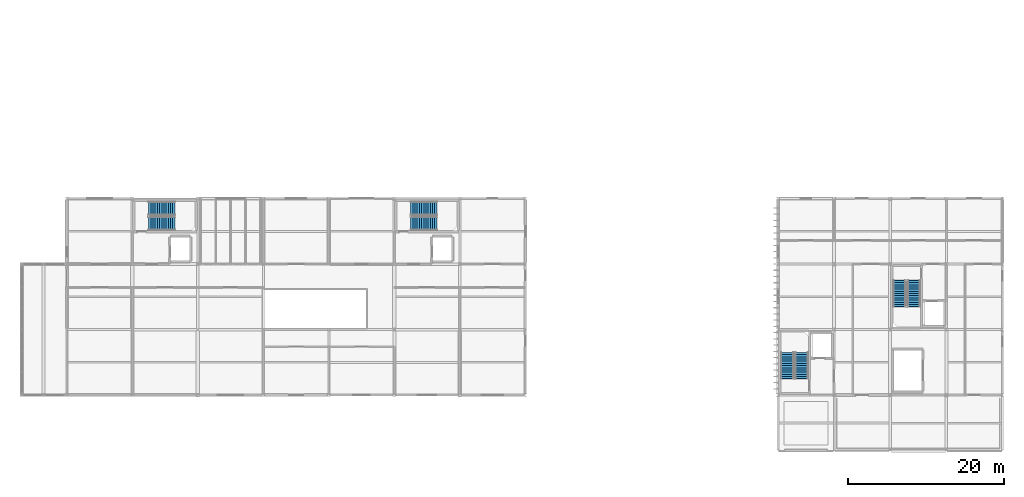
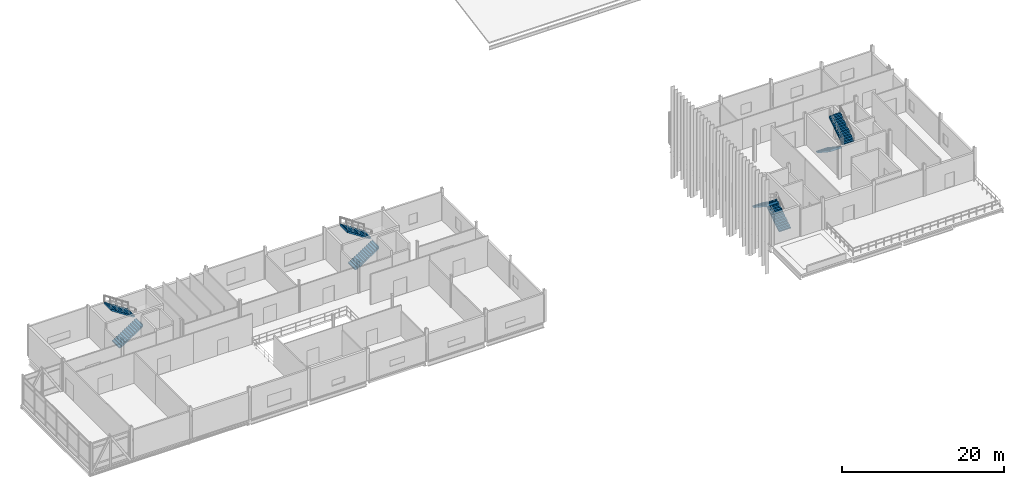
# One storey, part 35 of 45: 8 stair flights, 4 elements without a shape of their own.
"""IFC4 building model written with IfcOpenShell, lengths in metres."""

from ifc_helpers import new_model, si_unit, direction, frame, origin, place, context, subcontext, project, spatial, polyline, outline, extrude, material, type_object, element, aggregate, save


model = new_model("IFC4")

# Units and contexts
model_context = context("Model", 3, precision=1e-05, world=origin(), true_north=direction((0.0, 1.0)))
body_context = subcontext(model_context, "Body", "Model", "MODEL_VIEW")
ifc_project = project(units=[si_unit("LENGTHUNIT", "METRE"), si_unit("AREAUNIT", "SQUARE_METRE"), si_unit("VOLUMEUNIT", "CUBIC_METRE"), si_unit("PLANEANGLEUNIT", "RADIAN"), si_unit("MASSUNIT", "GRAM", prefix="KILO")], contexts=[model_context])

# Site, building, storey
site_placement = place(None, origin())
site = spatial("IfcSite", under=ifc_project, at=site_placement, CompositionType="ELEMENT")
building_placement = place(site_placement, origin())
building = spatial("IfcBuilding", under=site, at=building_placement, Name="Calvrana Isthmian Art Gallery", CompositionType="ELEMENT")
storey_placement = place(building_placement, frame((0.0, 0.0, 19.800048828125)))
storey = spatial("IfcBuildingStorey", under=building, at=storey_placement, Name="L04", CompositionType="ELEMENT", Elevation=19.800048828125)

# Stair, stair flights
ifc_material = material(Name="Concrete C40/50", Category="concrete")
stair_type_1 = type_object("IfcStairType", Name="STR-HT-480", PredefinedType="HALF_TURN_STAIR", material=ifc_material)
stair_1_placement = place(storey_placement, origin())
stair_1 = element("IfcStair", 1, at=stair_1_placement, inside=storey, type_object=stair_type_1, Name="Protected exit stair ST-3 (L04)", PredefinedType="HALF_TURN_STAIR")
stair_flight_type_1 = type_object("IfcStairFlightType", Name="STF-1660", PredefinedType="STRAIGHT", material=ifc_material)
stair_flight_1_placement = place(storey_placement, frame((115.860107421875, 23.699951171875, 0.0), z_axis=(0.0, 0.0, 1.0), x_axis=(0.0, 1.0, 0.0)))
stair_flight_1 = element("IfcStairFlight", 2, at=stair_flight_1_placement, type_object=stair_flight_type_1, Name="ST-3 flight 1", NumberOfRisers=13, NumberOfTreads=12, PredefinedType="STRAIGHT", RiserHeight=0.184615385, TreadLength=0.28, context=body_context, shape_type="SweptSolid", body=[
    extrude(outline(polyline([(-0.02490234375, 0.0), (-0.02490234375, 0.06005859375), (0.0, 0.06005859375), (0.0, 0.1845703125), (0.280029296875, 0.1845703125), (0.280029296875, 0.369140625), (0.56005859375, 0.369140625), (0.56005859375, 0.553955078125), (0.840087890625, 0.553955078125), (0.840087890625, 0.738525390625), (1.1201171875, 0.738525390625), (1.1201171875, 0.923095703125), (1.39990234375, 0.923095703125), (1.39990234375, 1.107666015625), (1.679931640625, 1.107666015625), (1.679931640625, 1.292236328125), (1.9599609375, 1.292236328125), (1.9599609375, 1.476806640625), (2.239990234375, 1.476806640625), (2.239990234375, 1.66162109375), (2.52001953125, 1.66162109375), (2.52001953125, 1.84619140625), (2.800048828125, 1.84619140625), (2.800048828125, 2.03076171875), (3.080078125, 2.03076171875), (3.080078125, 2.21533203125), (3.360107421875, 2.21533203125), (3.360107421875, 2.39990234375), (3.385009765625, 2.39990234375), (3.385009765625, 2.035888671875), (3.360107421875, 2.035888671875), (0.272216796875, 0.0), (-0.02490234375, 0.0)])), frame((0.0, 0.830078125, 0.0), z_axis=(0.0, -1.0, 0.0), x_axis=(1.0, 0.0, 0.0)), (0.0, 0.0, 1.0), 1.659912109375),
])
stair_flight_2_placement = place(storey_placement, frame((114.0, 27.06005859375, 2.39990234375), z_axis=(0.0, 0.0, 1.0), x_axis=(0.0, -1.0, 0.0)))
stair_flight_2 = element("IfcStairFlight", 3, at=stair_flight_2_placement, type_object=stair_flight_type_1, Name="ST-3 flight 2", NumberOfRisers=13, NumberOfTreads=12, PredefinedType="STRAIGHT", RiserHeight=0.184615385, TreadLength=0.28, context=body_context, shape_type="SweptSolid", body=[
    extrude(outline(polyline([(-0.02490234375, 0.0), (-0.02490234375, 0.06005859375), (0.0, 0.06005859375), (0.0, 0.1845703125), (0.280029296875, 0.1845703125), (0.280029296875, 0.369140625), (0.56005859375, 0.369140625), (0.56005859375, 0.553955078125), (0.840087890625, 0.553955078125), (0.840087890625, 0.738525390625), (1.1201171875, 0.738525390625), (1.1201171875, 0.923095703125), (1.39990234375, 0.923095703125), (1.39990234375, 1.107666015625), (1.679931640625, 1.107666015625), (1.679931640625, 1.292236328125), (1.9599609375, 1.292236328125), (1.9599609375, 1.476806640625), (2.239990234375, 1.476806640625), (2.239990234375, 1.66162109375), (2.52001953125, 1.66162109375), (2.52001953125, 1.84619140625), (2.800048828125, 1.84619140625), (2.800048828125, 2.03076171875), (3.080078125, 2.03076171875), (3.080078125, 2.21533203125), (3.360107421875, 2.21533203125), (3.360107421875, 2.39990234375), (3.385009765625, 2.39990234375), (3.385009765625, 2.035888671875), (3.360107421875, 2.035888671875), (0.272216796875, 0.0), (-0.02490234375, 0.0)])), frame((0.0, 0.830078125, 0.0), z_axis=(0.0, -1.0, 0.0), x_axis=(1.0, 0.0, 0.0)), (0.0, 0.0, 1.0), 1.659912109375),
])
aggregate(stair_1, [stair_flight_1, stair_flight_2])

stair_2_placement = place(storey_placement, origin())
stair_2 = element("IfcStair", 4, at=stair_2_placement, inside=storey, type_object=stair_type_1, Name="Protected exit stair ST-4 (L04)", PredefinedType="HALF_TURN_STAIR")
stair_flight_3_placement = place(storey_placement, frame((128.3798828125, 36.300048828125, 0.0), z_axis=(0.0, 0.0, 1.0), x_axis=(0.0, -1.0, 0.0)))
stair_flight_3 = element("IfcStairFlight", 5, at=stair_flight_3_placement, type_object=stair_flight_type_1, Name="ST-4 flight 1", NumberOfRisers=13, NumberOfTreads=12, PredefinedType="STRAIGHT", RiserHeight=0.184615385, TreadLength=0.28, context=body_context, shape_type="SweptSolid", body=[
    extrude(outline(polyline([(-0.02490234375, 0.0), (-0.02490234375, 0.06005859375), (0.0, 0.06005859375), (0.0, 0.1845703125), (0.280029296875, 0.1845703125), (0.280029296875, 0.369140625), (0.56005859375, 0.369140625), (0.56005859375, 0.553955078125), (0.840087890625, 0.553955078125), (0.840087890625, 0.738525390625), (1.1201171875, 0.738525390625), (1.1201171875, 0.923095703125), (1.39990234375, 0.923095703125), (1.39990234375, 1.107666015625), (1.679931640625, 1.107666015625), (1.679931640625, 1.292236328125), (1.9599609375, 1.292236328125), (1.9599609375, 1.476806640625), (2.239990234375, 1.476806640625), (2.239990234375, 1.66162109375), (2.52001953125, 1.66162109375), (2.52001953125, 1.84619140625), (2.800048828125, 1.84619140625), (2.800048828125, 2.03076171875), (3.080078125, 2.03076171875), (3.080078125, 2.21533203125), (3.360107421875, 2.21533203125), (3.360107421875, 2.39990234375), (3.385009765625, 2.39990234375), (3.385009765625, 2.035888671875), (3.360107421875, 2.035888671875), (0.272216796875, 0.0), (-0.02490234375, 0.0)])), frame((0.0, 0.830078125, 0.0), z_axis=(0.0, -1.0, 0.0), x_axis=(1.0, 0.0, 0.0)), (0.0, 0.0, 1.0), 1.659912109375),
])
stair_flight_4_placement = place(storey_placement, frame((130.239990234375, 32.93994140625, 2.39990234375), z_axis=(0.0, 0.0, 1.0), x_axis=(0.0, 1.0, 0.0)))
stair_flight_4 = element("IfcStairFlight", 6, at=stair_flight_4_placement, type_object=stair_flight_type_1, Name="ST-4 flight 2", NumberOfRisers=13, NumberOfTreads=12, PredefinedType="STRAIGHT", RiserHeight=0.184615385, TreadLength=0.28, context=body_context, shape_type="SweptSolid", body=[
    extrude(outline(polyline([(-0.02490234375, 0.0), (-0.02490234375, 0.06005859375), (0.0, 0.06005859375), (0.0, 0.1845703125), (0.280029296875, 0.1845703125), (0.280029296875, 0.369140625), (0.56005859375, 0.369140625), (0.56005859375, 0.553955078125), (0.840087890625, 0.553955078125), (0.840087890625, 0.738525390625), (1.1201171875, 0.738525390625), (1.1201171875, 0.923095703125), (1.39990234375, 0.923095703125), (1.39990234375, 1.107666015625), (1.679931640625, 1.107666015625), (1.679931640625, 1.292236328125), (1.9599609375, 1.292236328125), (1.9599609375, 1.476806640625), (2.239990234375, 1.476806640625), (2.239990234375, 1.66162109375), (2.52001953125, 1.66162109375), (2.52001953125, 1.84619140625), (2.800048828125, 1.84619140625), (2.800048828125, 2.03076171875), (3.080078125, 2.03076171875), (3.080078125, 2.21533203125), (3.360107421875, 2.21533203125), (3.360107421875, 2.39990234375), (3.385009765625, 2.39990234375), (3.385009765625, 2.035888671875), (3.360107421875, 2.035888671875), (0.272216796875, 0.0), (-0.02490234375, 0.0)])), frame((0.0, 0.830078125, 0.0), z_axis=(0.0, -1.0, 0.0), x_axis=(1.0, 0.0, 0.0)), (0.0, 0.0, 1.0), 1.659912109375),
])
aggregate(stair_2, [stair_flight_3, stair_flight_4])

stair_type_2 = type_object("IfcStairType", Name="STR-HT-480W", PredefinedType="HALF_TURN_STAIR", material=ifc_material)
stair_3_placement = place(storey_placement, origin())
stair_3 = element("IfcStair", 7, at=stair_3_placement, inside=storey, type_object=stair_type_2, Name="Protected exit stair ST-1 (L04)", PredefinedType="HALF_TURN_STAIR")
stair_flight_type_2 = type_object("IfcStairFlightType", Name="STF-1760", PredefinedType="STRAIGHT", material=ifc_material)
stair_flight_5_placement = place(storey_placement, frame((32.10009765625, 43.590087890625, 0.0), z_axis=(0.0, 0.0, 1.0), x_axis=(1.0, 0.0, 0.0)))
stair_flight_5 = element("IfcStairFlight", 8, at=stair_flight_5_placement, type_object=stair_flight_type_2, Name="ST-1 flight 1", NumberOfRisers=13, NumberOfTreads=12, PredefinedType="STRAIGHT", RiserHeight=0.184615385, TreadLength=0.28, context=body_context, shape_type="SweptSolid", body=[
    extrude(outline(polyline([(-0.02490234375, 0.0), (-0.02490234375, 0.06005859375), (0.0, 0.06005859375), (0.0, 0.1845703125), (0.280029296875, 0.1845703125), (0.280029296875, 0.369140625), (0.56005859375, 0.369140625), (0.56005859375, 0.553955078125), (0.840087890625, 0.553955078125), (0.840087890625, 0.738525390625), (1.1201171875, 0.738525390625), (1.1201171875, 0.923095703125), (1.39990234375, 0.923095703125), (1.39990234375, 1.107666015625), (1.679931640625, 1.107666015625), (1.679931640625, 1.292236328125), (1.9599609375, 1.292236328125), (1.9599609375, 1.476806640625), (2.239990234375, 1.476806640625), (2.239990234375, 1.66162109375), (2.52001953125, 1.66162109375), (2.52001953125, 1.84619140625), (2.800048828125, 1.84619140625), (2.800048828125, 2.03076171875), (3.080078125, 2.03076171875), (3.080078125, 2.21533203125), (3.360107421875, 2.21533203125), (3.360107421875, 2.39990234375), (3.385009765625, 2.39990234375), (3.385009765625, 2.035888671875), (3.360107421875, 2.035888671875), (0.272216796875, 0.0), (-0.02490234375, 0.0)])), frame((0.0, 0.8798828125, 0.0), z_axis=(0.0, -1.0, 0.0), x_axis=(1.0, 0.0, 0.0)), (0.0, 0.0, 1.0), 1.760009765625),
])
stair_flight_6_placement = place(storey_placement, frame((35.4599609375, 45.550048828125, 2.39990234375), z_axis=(0.0, 0.0, 1.0), x_axis=(-1.0, 0.0, 0.0)))
stair_flight_6 = element("IfcStairFlight", 9, at=stair_flight_6_placement, type_object=stair_flight_type_2, Name="ST-1 flight 2", NumberOfRisers=13, NumberOfTreads=12, PredefinedType="STRAIGHT", RiserHeight=0.184615385, TreadLength=0.28, context=body_context, shape_type="SweptSolid", body=[
    extrude(outline(polyline([(-0.02490234375, 0.0), (-0.02490234375, 0.06005859375), (0.0, 0.06005859375), (0.0, 0.1845703125), (0.280029296875, 0.1845703125), (0.280029296875, 0.369140625), (0.56005859375, 0.369140625), (0.56005859375, 0.553955078125), (0.840087890625, 0.553955078125), (0.840087890625, 0.738525390625), (1.1201171875, 0.738525390625), (1.1201171875, 0.923095703125), (1.39990234375, 0.923095703125), (1.39990234375, 1.107666015625), (1.679931640625, 1.107666015625), (1.679931640625, 1.292236328125), (1.9599609375, 1.292236328125), (1.9599609375, 1.476806640625), (2.239990234375, 1.476806640625), (2.239990234375, 1.66162109375), (2.52001953125, 1.66162109375), (2.52001953125, 1.84619140625), (2.800048828125, 1.84619140625), (2.800048828125, 2.03076171875), (3.080078125, 2.03076171875), (3.080078125, 2.21533203125), (3.360107421875, 2.21533203125), (3.360107421875, 2.39990234375), (3.385009765625, 2.39990234375), (3.385009765625, 2.035888671875), (3.360107421875, 2.035888671875), (0.272216796875, 0.0), (-0.02490234375, 0.0)])), frame((0.0, 0.8798828125, 0.0), z_axis=(0.0, -1.0, 0.0), x_axis=(1.0, 0.0, 0.0)), (0.0, 0.0, 1.0), 1.760009765625),
])
aggregate(stair_3, [stair_flight_5, stair_flight_6])

stair_4_placement = place(storey_placement, origin())
stair_4 = element("IfcStair", 10, at=stair_4_placement, inside=storey, type_object=stair_type_2, Name="Protected exit stair ST-2 (L04)", PredefinedType="HALF_TURN_STAIR")
stair_flight_7_placement = place(storey_placement, frame((65.699951171875, 43.590087890625, 0.0), z_axis=(0.0, 0.0, 1.0), x_axis=(1.0, 0.0, 0.0)))
stair_flight_7 = element("IfcStairFlight", 11, at=stair_flight_7_placement, type_object=stair_flight_type_2, Name="ST-2 flight 1", NumberOfRisers=13, NumberOfTreads=12, PredefinedType="STRAIGHT", RiserHeight=0.184615385, TreadLength=0.28, context=body_context, shape_type="SweptSolid", body=[
    extrude(outline(polyline([(-0.02490234375, 0.0), (-0.02490234375, 0.06005859375), (0.0, 0.06005859375), (0.0, 0.1845703125), (0.280029296875, 0.1845703125), (0.280029296875, 0.369140625), (0.56005859375, 0.369140625), (0.56005859375, 0.553955078125), (0.840087890625, 0.553955078125), (0.840087890625, 0.738525390625), (1.1201171875, 0.738525390625), (1.1201171875, 0.923095703125), (1.39990234375, 0.923095703125), (1.39990234375, 1.107666015625), (1.679931640625, 1.107666015625), (1.679931640625, 1.292236328125), (1.9599609375, 1.292236328125), (1.9599609375, 1.476806640625), (2.239990234375, 1.476806640625), (2.239990234375, 1.66162109375), (2.52001953125, 1.66162109375), (2.52001953125, 1.84619140625), (2.800048828125, 1.84619140625), (2.800048828125, 2.03076171875), (3.080078125, 2.03076171875), (3.080078125, 2.21533203125), (3.360107421875, 2.21533203125), (3.360107421875, 2.39990234375), (3.385009765625, 2.39990234375), (3.385009765625, 2.035888671875), (3.360107421875, 2.035888671875), (0.272216796875, 0.0), (-0.02490234375, 0.0)])), frame((0.0, 0.8798828125, 0.0), z_axis=(0.0, -1.0, 0.0), x_axis=(1.0, 0.0, 0.0)), (0.0, 0.0, 1.0), 1.760009765625),
])
stair_flight_8_placement = place(storey_placement, frame((69.06005859375, 45.550048828125, 2.39990234375), z_axis=(0.0, 0.0, 1.0), x_axis=(-1.0, 0.0, 0.0)))
stair_flight_8 = element("IfcStairFlight", 12, at=stair_flight_8_placement, type_object=stair_flight_type_2, Name="ST-2 flight 2", NumberOfRisers=13, NumberOfTreads=12, PredefinedType="STRAIGHT", RiserHeight=0.184615385, TreadLength=0.28, context=body_context, shape_type="SweptSolid", body=[
    extrude(outline(polyline([(-0.02490234375, 0.0), (-0.02490234375, 0.06005859375), (0.0, 0.06005859375), (0.0, 0.1845703125), (0.280029296875, 0.1845703125), (0.280029296875, 0.369140625), (0.56005859375, 0.369140625), (0.56005859375, 0.553955078125), (0.840087890625, 0.553955078125), (0.840087890625, 0.738525390625), (1.1201171875, 0.738525390625), (1.1201171875, 0.923095703125), (1.39990234375, 0.923095703125), (1.39990234375, 1.107666015625), (1.679931640625, 1.107666015625), (1.679931640625, 1.292236328125), (1.9599609375, 1.292236328125), (1.9599609375, 1.476806640625), (2.239990234375, 1.476806640625), (2.239990234375, 1.66162109375), (2.52001953125, 1.66162109375), (2.52001953125, 1.84619140625), (2.800048828125, 1.84619140625), (2.800048828125, 2.03076171875), (3.080078125, 2.03076171875), (3.080078125, 2.21533203125), (3.360107421875, 2.21533203125), (3.360107421875, 2.39990234375), (3.385009765625, 2.39990234375), (3.385009765625, 2.035888671875), (3.360107421875, 2.035888671875), (0.272216796875, 0.0), (-0.02490234375, 0.0)])), frame((0.0, 0.8798828125, 0.0), z_axis=(0.0, -1.0, 0.0), x_axis=(1.0, 0.0, 0.0)), (0.0, 0.0, 1.0), 1.760009765625),
])
aggregate(stair_4, [stair_flight_7, stair_flight_8])

save(model, "model.ifc")
